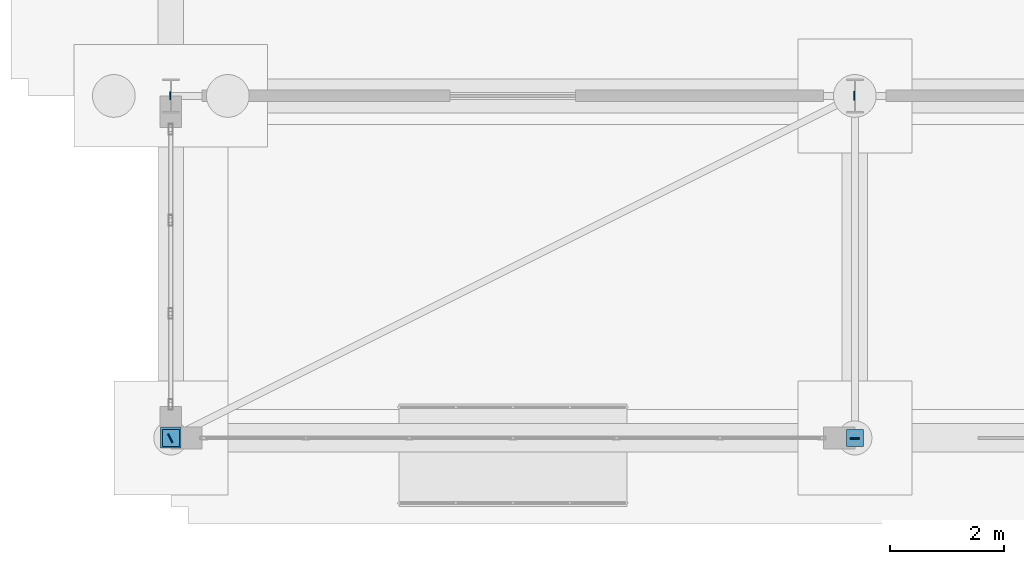
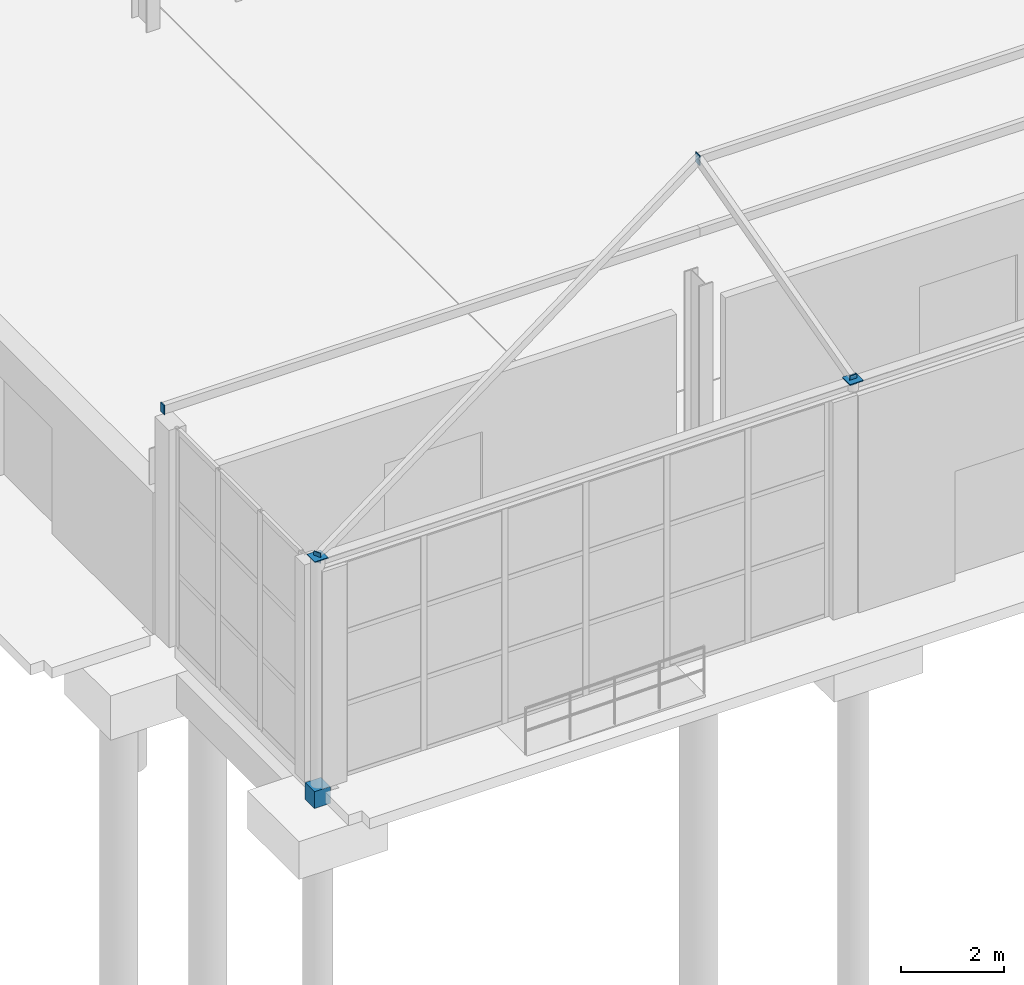
# One storey, part 70 of 77: 7 discrete accessories.
"""IFC4 building model written with IfcOpenShell, lengths in metres."""

from ifc_helpers import new_model, si_unit, direction, frame, origin, origin_2d, place, context, subcontext, project, spatial, rectangle, extrude, material, layer, layer_set, type_object, element, save


model = new_model("IFC4")

# Units and contexts
model_context = context("Model", 3, precision=1e-05, world=origin(), true_north=direction((0.0, 1.0)))
body_context = subcontext(model_context, "Body", "Model", "MODEL_VIEW")
ifc_project = project(units=[si_unit("LENGTHUNIT", "METRE"), si_unit("AREAUNIT", "SQUARE_METRE"), si_unit("VOLUMEUNIT", "CUBIC_METRE"), si_unit("PLANEANGLEUNIT", "RADIAN"), si_unit("MASSUNIT", "GRAM", prefix="KILO")], contexts=[model_context])

# Site, building, storey
site_placement = place(None, origin())
site = spatial("IfcSite", under=ifc_project, at=site_placement, CompositionType="ELEMENT")
building_placement = place(site_placement, origin())
building = spatial("IfcBuilding", under=site, at=building_placement, Name="Zilviju Railside Exhibition Hall", CompositionType="ELEMENT")
storey_placement = place(building_placement, origin())
storey = spatial("IfcBuildingStorey", under=building, at=storey_placement, Name="L01", CompositionType="ELEMENT", Elevation=0.0)

# Discrete accessories
ifc_material = material(Name="Steel S355ML", Category="steel")
ifc_layer = layer(ifc_material, 0.02001953125)
ifc_layer_set = layer_set([ifc_layer], Name="Steel S355ML")
discrete_accessory_type_1 = type_object("IfcDiscreteAccessoryType", Name="ACC-CAP-20", PredefinedType="BRACKET", material=ifc_layer_set)
for number, where, z_axis, x_axis, name in (
    (1, (48.0, -6.0, 5.39990234375), (0.0, 0.0, 1.0), (1.0, 0.0, 0.0), "Entrance Porch CHS Column Top Seal Plate 1"),
    (2, (60.0, -6.0, 5.39990234375), (0.0, 0.0, 1.0), (1.0, 0.0, 0.0), "Entrance Porch CHS Column Top Seal Plate 2"),
):
    element("IfcDiscreteAccessory", number, at=place(storey_placement, frame(where, z_axis=z_axis, x_axis=x_axis)), inside=storey, type_object=discrete_accessory_type_1, Name=name, PredefinedType="BRACKET", context=body_context, shape_type="SweptSolid", body=[
        extrude(rectangle(XDim=0.300048828125, YDim=0.300048828125, at=origin_2d()), origin(), (0.0, 0.0, 1.0), 0.02001953125),
    ])
discrete_accessory_1_placement = place(storey_placement, frame((47.989990234375, -6.0048828125, 5.27783203125), z_axis=(0.0, 0.0, 1.0), x_axis=(0.89438856037, 0.447290848419, 0.0)))
element("IfcDiscreteAccessory", 3, at=discrete_accessory_1_placement, inside=storey, type_object=discrete_accessory_type_1, Name="Hollow Section Welded End Seal Cap V7-HIP-W", PredefinedType="BRACKET", context=body_context, shape_type="SweptSolid", body=[
    extrude(rectangle(XDim=0.02001953125, YDim=0.159912109375, at=origin_2d()), origin(), (0.0, 0.0, 1.0), 0.239990234375),
])
discrete_accessory_2_placement = place(storey_placement, frame((60.0, -6.010009765625, 5.27978515625), z_axis=(0.0, 0.0, 1.0), x_axis=(1.0, 0.0, 0.0)))
element("IfcDiscreteAccessory", 4, at=discrete_accessory_2_placement, inside=storey, type_object=discrete_accessory_type_1, Name="Hollow Section Welded End Seal Cap V7-RAF-1", PredefinedType="BRACKET", context=body_context, shape_type="SweptSolid", body=[
    extrude(rectangle(XDim=0.159912109375, YDim=0.02001953125, at=origin_2d()), origin(), (0.0, 0.0, 1.0), 0.239990234375),
])
discrete_accessory_3_placement = place(storey_placement, frame((59.989990234375, 0.0, 6.8798828125), z_axis=(0.0, 0.0, 1.0), x_axis=(1.0, 0.0, 0.0)))
element("IfcDiscreteAccessory", 5, at=discrete_accessory_3_placement, inside=storey, type_object=discrete_accessory_type_1, Name="Hollow Section Welded End Seal Cap V7-RDG-W", PredefinedType="BRACKET", context=body_context, shape_type="SweptSolid", body=[
    extrude(rectangle(XDim=0.02001953125, YDim=0.159912109375, at=origin_2d()), origin(), (0.0, 0.0, 1.0), 0.239990234375),
])
discrete_accessory_4_placement = place(storey_placement, frame((47.989990234375, 0.0, 5.169921875), z_axis=(0.0, 0.0, 1.0), x_axis=(1.0, 0.0, 0.0)))
element("IfcDiscreteAccessory", 6, at=discrete_accessory_4_placement, inside=storey, type_object=discrete_accessory_type_1, Name="Hollow Section Welded End Seal Cap V7-LN3-W", PredefinedType="BRACKET", context=body_context, shape_type="SweptSolid", body=[
    extrude(rectangle(XDim=0.02001953125, YDim=0.139892578125, at=origin_2d()), origin(), (0.0, 0.0, 1.0), 0.219970703125),
])
discrete_accessory_type_2 = type_object("IfcDiscreteAccessoryType", Name="ACC-PED-400", PredefinedType="BRACKET", material=ifc_material)
discrete_accessory_5_placement = place(storey_placement, frame((48.0, -6.0, -0.39990234375), z_axis=(0.0, 0.0, 1.0), x_axis=(1.0, 0.0, 0.0)))
element("IfcDiscreteAccessory", 7, at=discrete_accessory_5_placement, inside=storey, type_object=discrete_accessory_type_2, Name="Entrance Porch CHS Column Pedestal Shoe 1", PredefinedType="BRACKET", context=body_context, shape_type="SweptSolid", body=[
    extrude(rectangle(XDim=0.360107421875, YDim=0.360107421875, at=origin_2d()), origin(), (0.0, 0.0, 1.0), 0.39990234375),
])

save(model, "model.ifc")
